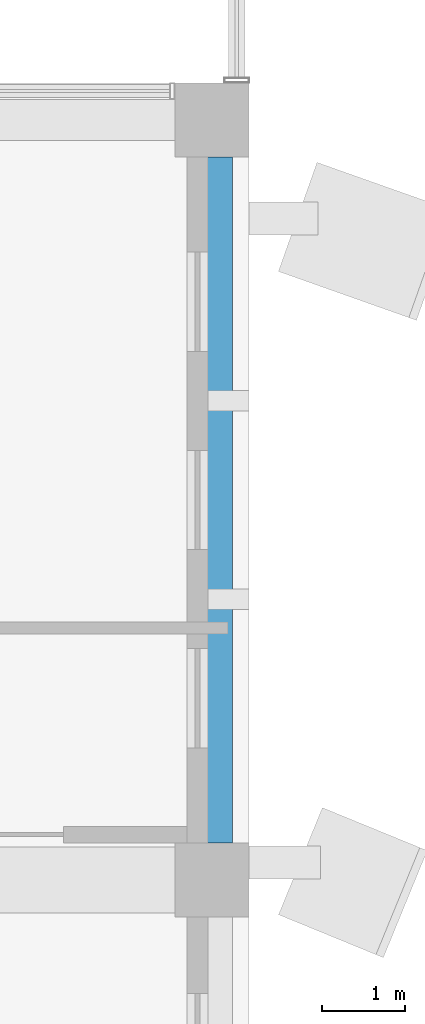
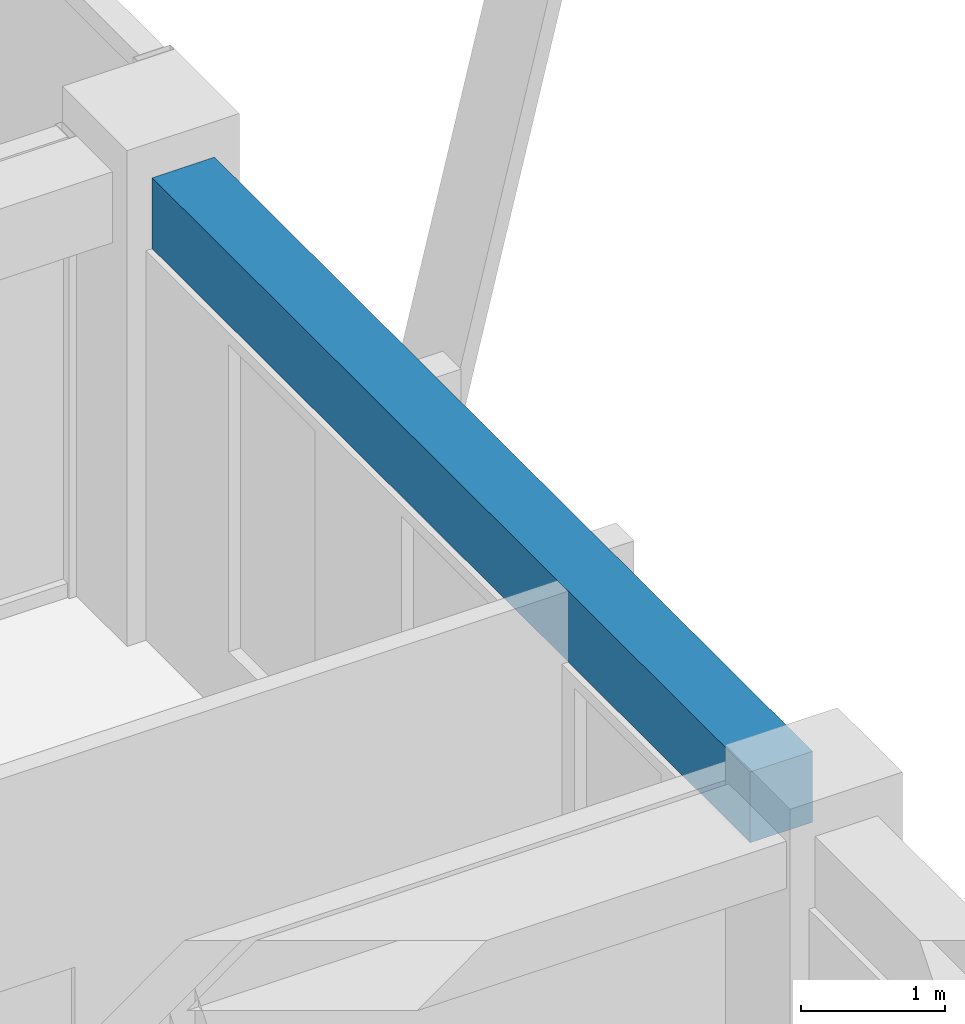
# One storey, part 16 of 38: 1 beam.
"""IFC4 building model written with IfcOpenShell, lengths in metres."""

from ifc_helpers import new_model, si_unit, direction, frame, origin, origin_2d, place, context, subcontext, project, spatial, rectangle, extrude, material, material_profile, profile_set, type_object, element, save


model = new_model("IFC4")

# Units and contexts
model_context = context("Model", 3, precision=1e-05, world=origin(), true_north=direction((0.0, 1.0)))
body_context = subcontext(model_context, "Body", "Model", "MODEL_VIEW")
ifc_project = project(units=[si_unit("LENGTHUNIT", "METRE"), si_unit("AREAUNIT", "SQUARE_METRE"), si_unit("VOLUMEUNIT", "CUBIC_METRE"), si_unit("PLANEANGLEUNIT", "RADIAN"), si_unit("MASSUNIT", "GRAM", prefix="KILO")], contexts=[model_context])

# Site, building, storey
site_placement = place(None, origin())
site = spatial("IfcSite", under=ifc_project, at=site_placement, CompositionType="ELEMENT")
building_placement = place(site_placement, origin())
building = spatial("IfcBuilding", under=site, at=building_placement, Name="Nzadi Deep Aquarium and Research Tower", CompositionType="ELEMENT")
storey_placement = place(building_placement, frame((0.0, 0.0, 48.699951171875)))
storey = spatial("IfcBuildingStorey", under=building, at=storey_placement, Name="L09", CompositionType="ELEMENT", Elevation=48.699951171875)

# Beam
ifc_material = material(Name="Concrete C35/45", Category="concrete")
ifc_material_profile = material_profile(ifc_material, rectangle(XDim=0.5, YDim=0.60009765625, at=origin_2d()))
ifc_profile_set = profile_set([ifc_material_profile], Name="Concrete C35/45")
beam_type = type_object("IfcBeamType", Name="RC 500x600", PredefinedType="BEAM", material=ifc_profile_set)
beam_placement = place(storey_placement, frame((48.0, 9.64990234375, 3.60009765625), z_axis=(0.0, 1.0, 0.0), x_axis=(-1.0, 0.0, 0.0)))
element("IfcBeam", 1, at=beam_placement, inside=storey, type_object=beam_type, Name="B-Z1-L09-CF-2-1", PredefinedType="BEAM", context=body_context, shape_type="SweptSolid", body=[
    extrude(rectangle(XDim=0.5, YDim=0.60009765625, at=origin_2d()), origin(), (0.0, 0.0, 1.0), 8.300048828125),
])

save(model, "model.ifc")
